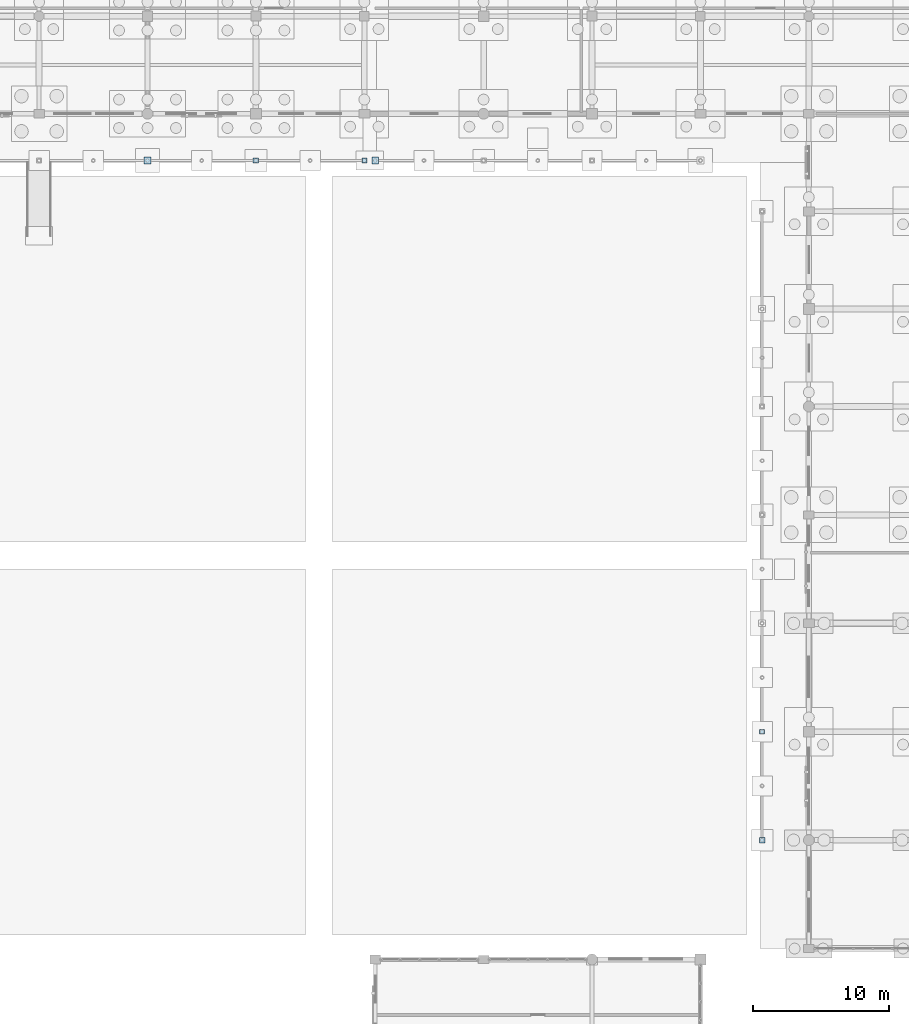
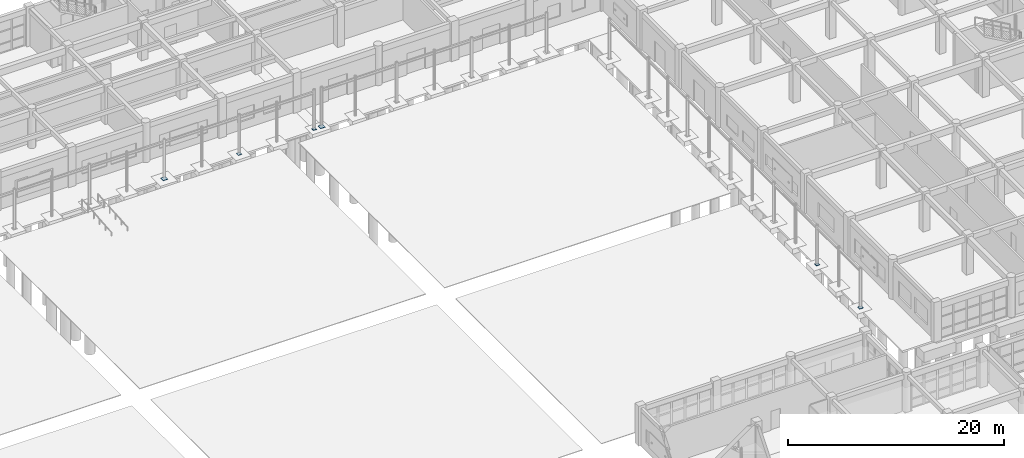
# One storey, part 124 of 166: 6 plates.
"""IFC4 building model written with IfcOpenShell, lengths in metres."""

from ifc_helpers import new_model, si_unit, direction, frame, origin, origin_2d, place, context, subcontext, project, spatial, rectangle, extrude, material, type_object, element, save


model = new_model("IFC4")

# Units and contexts
model_context = context("Model", 3, precision=1e-05, world=origin(), true_north=direction((0.0, 1.0)))
body_context = subcontext(model_context, "Body", "Model", "MODEL_VIEW")
ifc_project = project(units=[si_unit("LENGTHUNIT", "METRE"), si_unit("AREAUNIT", "SQUARE_METRE"), si_unit("VOLUMEUNIT", "CUBIC_METRE"), si_unit("PLANEANGLEUNIT", "RADIAN"), si_unit("MASSUNIT", "GRAM", prefix="KILO")], contexts=[model_context])

# Site, building, storey
site_placement = place(None, origin())
site = spatial("IfcSite", under=ifc_project, at=site_placement, CompositionType="ELEMENT")
building_placement = place(site_placement, origin())
building = spatial("IfcBuilding", under=site, at=building_placement, Name="Kharva Crest Polytechnic", CompositionType="ELEMENT")
storey_placement = place(building_placement, origin())
storey = spatial("IfcBuildingStorey", under=building, at=storey_placement, Name="L00", CompositionType="ELEMENT", Elevation=0.0)

# Plates
ifc_material = material(Name="Steel S355", Category="steel")
plate_type_1 = type_object("IfcPlateType", Name="PLT-BASE-360X360X20", PredefinedType="USERDEFINED", material=ifc_material)
for number, where, z_axis, x_axis, name in (
    (1, (120.0, 96.949951171875, 0.0009765625), (0.0, 0.0, 1.0), (1.0, 0.0, 0.0), "L00 Colonnade Base Plate VN09"),
    (2, (149.35009765625, 54.800048828125, 0.0009765625), (0.0, 0.0, 1.0), (1.0, 0.0, 0.0), "L00 Colonnade Base Plate VE02"),
):
    element("IfcPlate", number, at=place(storey_placement, frame(where, z_axis=z_axis, x_axis=x_axis)), inside=storey, type_object=plate_type_1, Name=name, ObjectType="BASE PLATE", PredefinedType="USERDEFINED", context=body_context, shape_type="SweptSolid", body=[
        extrude(rectangle(XDim=0.360107421875, YDim=0.360107421875, at=origin_2d()), origin(), (0.0, 0.0, 1.0), 0.02001953125),
    ])
plate_type_2 = type_object("IfcPlateType", Name="PLT-BASE-400X400X22", PredefinedType="USERDEFINED", material=ifc_material)
for number, where, z_axis, x_axis, name in (
    (3, (112.0, 96.949951171875, 0.0), (0.0, 0.0, 1.0), (1.0, 0.0, 0.0), "L00 Colonnade Base Plate VN08"),
    (4, (149.35009765625, 46.800048828125, 0.0), (0.0, 0.0, 1.0), (1.0, 0.0, 0.0), "L00 Colonnade Base Plate VE01"),
):
    element("IfcPlate", number, at=place(storey_placement, frame(where, z_axis=z_axis, x_axis=x_axis)), inside=storey, type_object=plate_type_2, Name=name, ObjectType="BASE PLATE", PredefinedType="USERDEFINED", context=body_context, shape_type="SweptSolid", body=[
        extrude(rectangle(XDim=0.39990234375, YDim=0.39990234375, at=origin_2d()), origin(), (0.0, 0.0, 1.0), 0.02197265625),
    ])
plate_type_3 = type_object("IfcPlateType", Name="PLT-BASE-500X500X25", PredefinedType="USERDEFINED", material=ifc_material)
for number, where, z_axis, x_axis, name in (
    (5, (104.0, 96.949951171875, -0.00146484375), (0.0, 0.0, 1.0), (1.0, 0.0, 0.0), "L00 Colonnade Base Plate VN07"),
    (6, (120.800048828125, 96.949951171875, -0.00146484375), (0.0, 0.0, 1.0), (1.0, 0.0, 0.0), "L00 Colonnade Base Plate VN10"),
):
    element("IfcPlate", number, at=place(storey_placement, frame(where, z_axis=z_axis, x_axis=x_axis)), inside=storey, type_object=plate_type_3, Name=name, ObjectType="BASE PLATE", PredefinedType="USERDEFINED", context=body_context, shape_type="SweptSolid", body=[
        extrude(rectangle(XDim=0.5, YDim=0.5, at=origin_2d()), origin(), (0.0, 0.0, 1.0), 0.02490234375),
    ])

save(model, "model.ifc")
